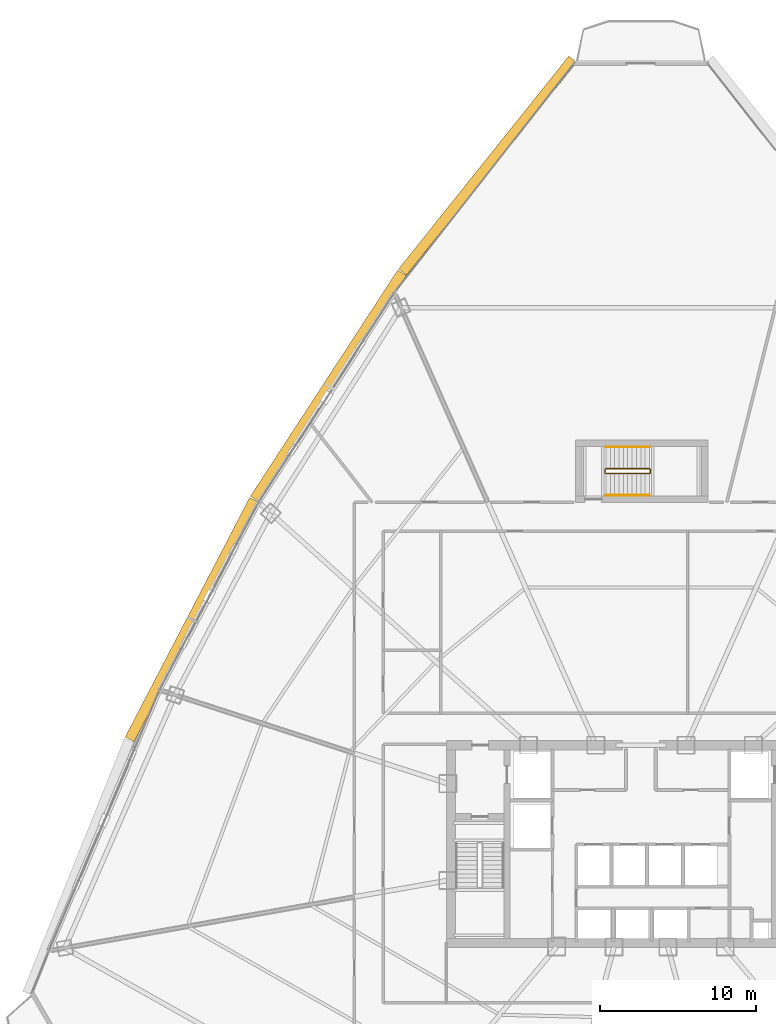
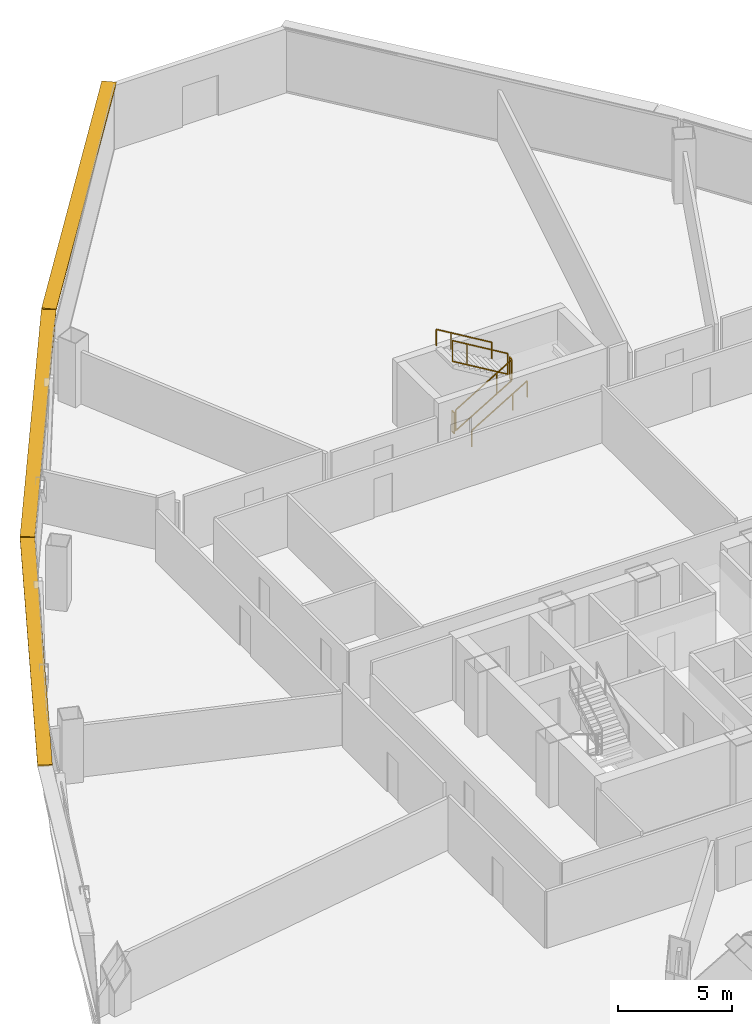
# One storey, part 38 of 39: 6 railings, 3 shading devices.
"""IFC4 building model written with IfcOpenShell, lengths in metres."""

from ifc_helpers import new_model, si_unit, direction, frame, origin, origin_2d, place, context, subcontext, project, spatial, rectangle, extrude, source, transform, mapped, material, layer, layer_set, type_object, element, save


model = new_model("IFC4")

# Units and contexts
model_context = context("Model", 3, precision=1e-05, world=origin(), true_north=direction((0.0, 1.0)))
body_context = subcontext(model_context, "Body", "Model", "MODEL_VIEW")
ifc_project = project(units=[si_unit("LENGTHUNIT", "METRE"), si_unit("AREAUNIT", "SQUARE_METRE"), si_unit("VOLUMEUNIT", "CUBIC_METRE"), si_unit("PLANEANGLEUNIT", "RADIAN"), si_unit("MASSUNIT", "GRAM", prefix="KILO"), si_unit("THERMODYNAMICTEMPERATUREUNIT", "KELVIN"), si_unit("POWERUNIT", "WATT")], contexts=[model_context])

# Site, building, storey
site_placement = place(None, origin())
site = spatial("IfcSite", under=ifc_project, at=site_placement, CompositionType="ELEMENT")
building_placement = place(site_placement, origin())
building = spatial("IfcBuilding", under=site, at=building_placement, Name="Yunzhuo Pagoda Commons", CompositionType="ELEMENT")
storey_placement = place(building_placement, frame((0.0, 0.0, 166.6298828125)))
storey = spatial("IfcBuildingStorey", under=building, at=storey_placement, Name="L42", CompositionType="ELEMENT", Elevation=166.6298828125)

# Railings
ifc_material = material(Name="Anodized aluminium 6063-T6", Category="aluminium")
railing_type_1 = type_object("IfcRailingType", Name="GR-ST3 North Well Guardrail 1155", PredefinedType="GUARDRAIL", material=ifc_material)
railing_1_placement = place(storey_placement, frame((45.75, 57.64990234375, 0.16748046875)))
element("IfcRailing", 1, at=railing_1_placement, inside=storey, type_object=railing_type_1, Name="L42 ST3 stair guard 1", PredefinedType="GUARDRAIL", context=body_context, shape_type="SweptSolid", body=[
    extrude(rectangle(XDim=0.048095703125, YDim=0.048095703125, at=origin_2d()), frame((0.0, 0.0, 1.1259765625), z_axis=(0.858495211305, 0.0, 0.512821579271), x_axis=(0.0, 1.0, 0.0)), (0.0, 0.0, 1.0), 3.261474609375),
    extrude(rectangle(XDim=0.048095703125, YDim=0.048095703125, at=origin_2d()), frame((0.0, 0.0, 0.02392578125), z_axis=(0.858495211305, 0.0, 0.512821579271), x_axis=(0.0, 1.0, 0.0)), (0.0, 0.0, 1.0), 3.261474609375),
    extrude(rectangle(XDim=0.0419921875, YDim=0.0419921875, at=origin_2d()), origin(), (0.0, 0.0, 1.0), 1.101806640625),
    extrude(rectangle(XDim=0.0419921875, YDim=0.0419921875, at=origin_2d()), frame((2.060302734375, 0.0, 1.230712890625)), (0.0, 0.0, 1.0), 1.101806640625),
    extrude(rectangle(XDim=0.0419921875, YDim=0.0419921875, at=origin_2d()), frame((2.800048828125, 0.0, 1.672607421875)), (0.0, 0.0, 1.0), 1.101806640625),
])
railing_2_placement = place(storey_placement, frame((48.60009765625, 57.699951171875, 1.840087890625)))
element("IfcRailing", 2, at=railing_2_placement, inside=storey, type_object=railing_type_1, Name="L42 ST3 stair guard 2", PredefinedType="GUARDRAIL", context=body_context, shape_type="SweptSolid", body=[
    extrude(rectangle(XDim=0.048095703125, YDim=0.048095703125, at=origin_2d()), frame((0.0, 0.0, 1.1259765625), z_axis=(0.0, 1.0, 0.0), x_axis=(-1.0, 0.0, 0.0)), (0.0, 0.0, 1.0), 0.199951171875),
    extrude(rectangle(XDim=0.048095703125, YDim=0.048095703125, at=origin_2d()), frame((0.0, 0.0, 0.02392578125), z_axis=(0.0, 1.0, 0.0), x_axis=(-1.0, 0.0, 0.0)), (0.0, 0.0, 1.0), 0.199951171875),
    extrude(rectangle(XDim=0.0419921875, YDim=0.0419921875, at=origin_2d()), origin(), (0.0, 0.0, 1.0), 1.101806640625),
    extrude(rectangle(XDim=0.0419921875, YDim=0.0419921875, at=origin_2d()), frame((0.0, 0.199951171875, 0.0)), (0.0, 0.0, 1.0), 1.101806640625),
])
railing_3_placement = place(storey_placement, frame((48.550048828125, 57.949951171875, 2.00732421875)))
element("IfcRailing", 3, at=railing_3_placement, inside=storey, type_object=railing_type_1, Name="L42 ST3 stair guard 3", PredefinedType="GUARDRAIL", context=body_context, shape_type="SweptSolid", body=[
    extrude(rectangle(XDim=0.048095703125, YDim=0.048095703125, at=origin_2d()), frame((0.0, 0.0, 1.1259765625), z_axis=(-0.858462256164, 0.0, 0.512876744201), x_axis=(0.0, -1.0, 0.0)), (0.0, 0.0, 1.0), 3.26171875),
    extrude(rectangle(XDim=0.048095703125, YDim=0.048095703125, at=origin_2d()), frame((0.0, 0.0, 0.02392578125), z_axis=(-0.858462256164, 0.0, 0.512876744201), x_axis=(0.0, -1.0, 0.0)), (0.0, 0.0, 1.0), 3.26171875),
    extrude(rectangle(XDim=0.0419921875, YDim=0.0419921875, at=origin_2d()), origin(), (0.0, 0.0, 1.0), 1.101806640625),
    extrude(rectangle(XDim=0.0419921875, YDim=0.0419921875, at=origin_2d()), frame((-2.060302734375, 0.0, 1.23095703125)), (0.0, 0.0, 1.0), 1.101806640625),
    extrude(rectangle(XDim=0.0419921875, YDim=0.0419921875, at=origin_2d()), frame((-2.800048828125, 0.0, 1.6728515625)), (0.0, 0.0, 1.0), 1.101806640625),
])
railing_4_placement = place(storey_placement, frame((45.699951171875, 57.699951171875, 0.0)))
element("IfcRailing", 4, at=railing_4_placement, inside=storey, type_object=railing_type_1, Name="L42 ST3 stair guard 4", PredefinedType="GUARDRAIL", context=body_context, shape_type="SweptSolid", body=[
    extrude(rectangle(XDim=0.048095703125, YDim=0.048095703125, at=origin_2d()), frame((0.0, 0.0, 1.1259765625), z_axis=(0.0, 1.0, 0.0), x_axis=(-1.0, 0.0, 0.0)), (0.0, 0.0, 1.0), 0.199951171875),
    extrude(rectangle(XDim=0.048095703125, YDim=0.048095703125, at=origin_2d()), frame((0.0, 0.0, 0.02392578125), z_axis=(0.0, 1.0, 0.0), x_axis=(-1.0, 0.0, 0.0)), (0.0, 0.0, 1.0), 0.199951171875),
    extrude(rectangle(XDim=0.0419921875, YDim=0.0419921875, at=origin_2d()), origin(), (0.0, 0.0, 1.0), 1.101806640625),
    extrude(rectangle(XDim=0.0419921875, YDim=0.0419921875, at=origin_2d()), frame((0.0, 0.199951171875, 0.0)), (0.0, 0.0, 1.0), 1.101806640625),
])
railing_type_2 = type_object("IfcRailingType", Name="HR-ST3 North Stair Handrail 900", PredefinedType="HANDRAIL", material=ifc_material)
railing_5_placement = place(storey_placement, frame((45.75, 56.25, 0.16748046875)))
element("IfcRailing", 5, at=railing_5_placement, inside=storey, type_object=railing_type_2, Name="L42 ST3 stair handrail 1", PredefinedType="HANDRAIL", context=body_context, shape_type="SweptSolid", body=[
    extrude(rectangle(XDim=0.048095703125, YDim=0.048095703125, at=origin_2d()), frame((0.0, 0.0, 0.8759765625), z_axis=(0.858495211305, 0.0, 0.512821579271), x_axis=(0.0, 1.0, 0.0)), (0.0, 0.0, 1.0), 3.261474609375),
    extrude(rectangle(XDim=0.0419921875, YDim=0.0419921875, at=origin_2d()), origin(), (0.0, 0.0, 1.0), 0.851806640625),
    extrude(rectangle(XDim=0.0419921875, YDim=0.0419921875, at=origin_2d()), frame((2.060302734375, 0.0, 1.230712890625)), (0.0, 0.0, 1.0), 0.851806640625),
    extrude(rectangle(XDim=0.0419921875, YDim=0.0419921875, at=origin_2d()), frame((2.800048828125, 0.0, 1.672607421875)), (0.0, 0.0, 1.0), 0.851806640625),
])
railing_6_placement = place(storey_placement, frame((48.550048828125, 59.35009765625, 2.00732421875)))
element("IfcRailing", 6, at=railing_6_placement, inside=storey, type_object=railing_type_2, Name="L42 ST3 stair handrail 2", PredefinedType="HANDRAIL", context=body_context, shape_type="SweptSolid", body=[
    extrude(rectangle(XDim=0.048095703125, YDim=0.048095703125, at=origin_2d()), frame((0.0, 0.0, 0.8759765625), z_axis=(-0.858462256164, 0.0, 0.512876744201), x_axis=(0.0, -1.0, 0.0)), (0.0, 0.0, 1.0), 3.26171875),
    extrude(rectangle(XDim=0.0419921875, YDim=0.0419921875, at=origin_2d()), origin(), (0.0, 0.0, 1.0), 0.851806640625),
    extrude(rectangle(XDim=0.0419921875, YDim=0.0419921875, at=origin_2d()), frame((-2.060302734375, 0.0, 1.23095703125)), (0.0, 0.0, 1.0), 0.851806640625),
    extrude(rectangle(XDim=0.0419921875, YDim=0.0419921875, at=origin_2d()), frame((-2.800048828125, 0.0, 1.6728515625)), (0.0, 0.0, 1.0), 0.851806640625),
])

# Shading devices
ifc_layer = layer(ifc_material, 0.080078125)
ifc_layer_set = layer_set([ifc_layer], Name="Anodized aluminium 6063-T6")
shading_device_type = type_object("IfcShadingDeviceType", Name="SH-SUN1 Pagoda Horizontal Sunshade Eave 650", PredefinedType="USERDEFINED", material=ifc_layer_set)
shared_shape_1 = source(origin(), body_context, "Body", "SweptSolid", [
    extrude(rectangle(XDim=17.338134765625, YDim=0.64990234375, at=origin_2d()), origin(), (0.0, 0.0, 1.0), 0.080078125),
])
for number, where, z_axis, x_axis, name in (
    (7, (27.918701171875, 63.2763671875, 3.340087890625), (0.0, 0.0, 1.0), (-0.545853380833, -0.837880711458, 0.0), "L42 horizontal pagoda sunshade eave F3.2"),
    (8, (19.156494140625, 48.265625, 3.340087890625), (0.0, 0.0, 1.0), (-0.461206683033, -0.88729273384, 0.0), "L42 horizontal pagoda sunshade eave F3.3"),
):
    element("IfcShadingDevice", number, at=place(storey_placement, frame(where, z_axis=z_axis, x_axis=x_axis)), inside=storey, type_object=shading_device_type, Name=name, ObjectType="SUNSHADE", PredefinedType="USERDEFINED", context=body_context, shape_type="MappedRepresentation", body=[
        mapped(shared_shape_1, transform((0.0, 0.0, 0.0), scale=1.0)),
    ])
shared_shape_2 = source(origin(), body_context, "Body", "SweptSolid", [
    extrude(rectangle(XDim=17.504150390625, YDim=0.64990234375, at=origin_2d()), origin(), (0.0, 0.0, 1.0), 0.080078125),
])
shading_device_placement = place(storey_placement, frame((38.153564453125, 77.4267578125, 3.340087890625), z_axis=(0.0, 0.0, 1.0), x_axis=(-0.624520471688, -0.781008438138, 0.0)))
element("IfcShadingDevice", 9, at=shading_device_placement, inside=storey, type_object=shading_device_type, Name="L42 horizontal pagoda sunshade eave F3.1", ObjectType="SUNSHADE", PredefinedType="USERDEFINED", context=body_context, shape_type="MappedRepresentation", body=[
    mapped(shared_shape_2, transform((0.0, 0.0, 0.0), scale=1.0)),
])

save(model, "model.ifc")
